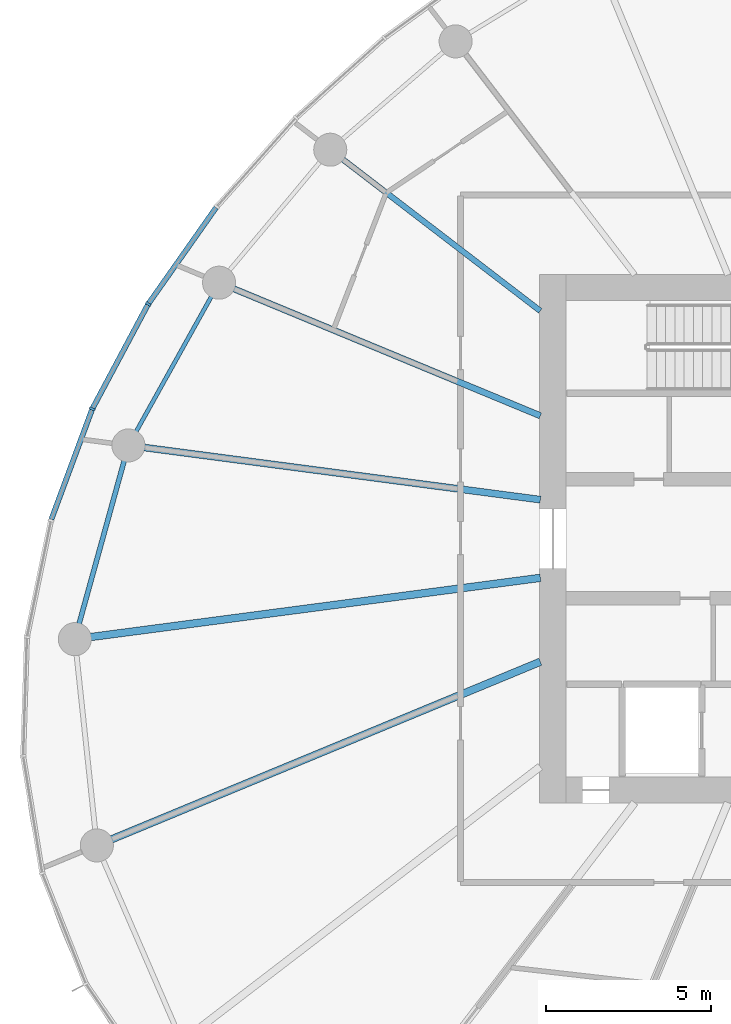
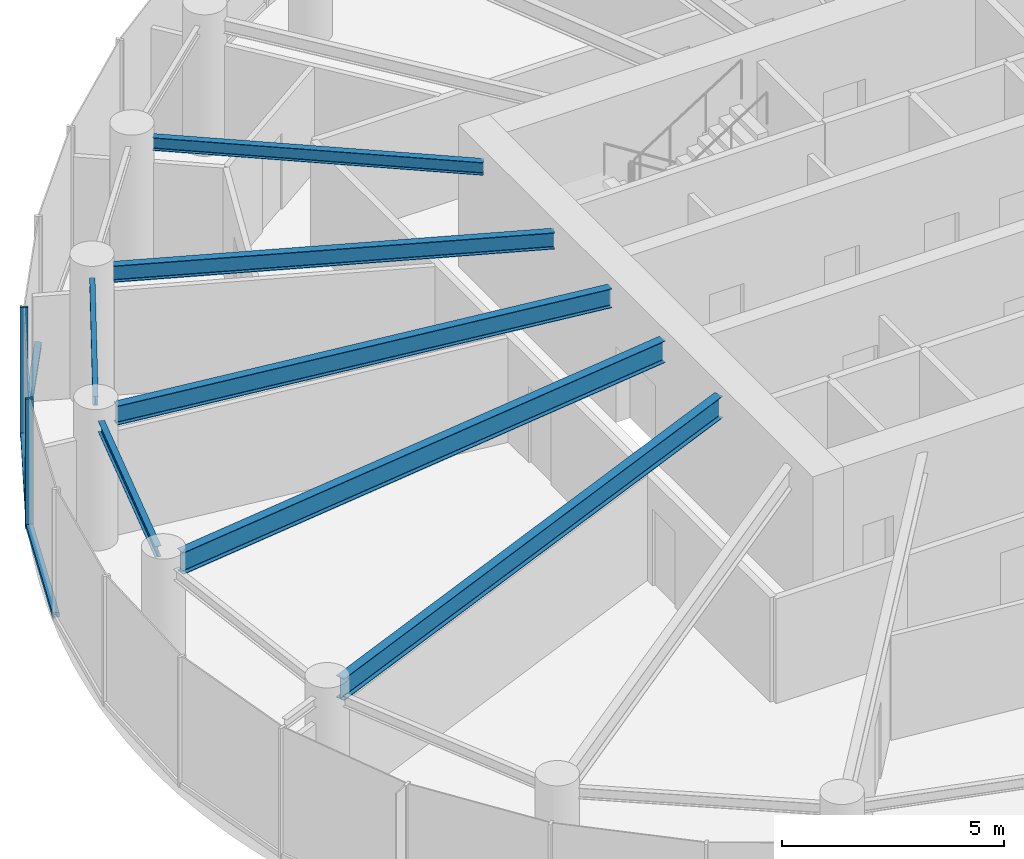
# One storey, part 3 of 14: 7 beams, 5 members, 1 element without a shape of its own.
"""IFC4 building model written with IfcOpenShell, lengths in metres."""

from ifc_helpers import new_model, si_unit, direction, frame, origin, origin_2d, place, context, subcontext, project, spatial, rectangle, i_section, extrude, source, transform, mapped, material, layer, layer_set, material_profile, profile_set, type_object, element, aggregate, save


model = new_model("IFC4")

# Units and contexts
model_context = context("Model", 3, precision=1e-05, world=origin(), true_north=direction((0.0, 1.0)))
body_context = subcontext(model_context, "Body", "Model", "MODEL_VIEW")
ifc_project = project(units=[si_unit("LENGTHUNIT", "METRE"), si_unit("AREAUNIT", "SQUARE_METRE"), si_unit("VOLUMEUNIT", "CUBIC_METRE"), si_unit("PLANEANGLEUNIT", "RADIAN"), si_unit("MASSUNIT", "GRAM", prefix="KILO")], contexts=[model_context])

# Site, building, storey
site_placement = place(None, origin())
site = spatial("IfcSite", under=ifc_project, at=site_placement, CompositionType="ELEMENT")
building_placement = place(site_placement, origin())
building = spatial("IfcBuilding", under=site, at=building_placement, Name="Spindrift Exchange Tower", CompositionType="ELEMENT")
storey_placement = place(building_placement, frame((0.0, 0.0, 148.699951171875)))
storey = spatial("IfcBuildingStorey", under=building, at=storey_placement, Name="L35", CompositionType="ELEMENT", Elevation=148.699951171875)

# Beams
ifc_material_1 = material(Name="Steel Grade 300", Category="steel")
ifc_material_profile_1 = material_profile(ifc_material_1, i_section(OverallWidth=0.1240234375, OverallDepth=0.248046875, WebThickness=0.0048828125, FlangeThickness=0.008056640625, FilletRadius=0.011962890625, at=origin_2d()), Name="250UB25.7")
ifc_profile_set_1 = profile_set([ifc_material_profile_1], Name="Steel Grade 300")
beam_type_1 = type_object("IfcBeamType", Name="Edge Beam 250UB25.7 Steel Grade 300", PredefinedType="SPANDREL", material=ifc_profile_set_1)
shared_shape_1 = source(origin(), body_context, "Body", "SweptSolid", [
    extrude(i_section(OverallWidth=0.1240234375, OverallDepth=0.248046875, WebThickness=0.0048828125, FlangeThickness=0.008056640625, FilletRadius=0.011962890625, at=origin_2d()), origin(), (0.0, 0.0, 1.0), 4.6748046875),
])
beam_1_placement = place(storey_placement, frame((33.067138671875, 55.326171875, 3.4560546875), z_axis=(-0.486587145143, -0.873632045075, 0.0), x_axis=(0.873632045075, -0.486587145143, 0.0)))
element("IfcBeam", 1, at=beam_1_placement, inside=storey, type_object=beam_type_1, Name="L35 edge beam E11", PredefinedType="SPANDREL", context=body_context, shape_type="MappedRepresentation", body=[
    mapped(shared_shape_1, transform((0.0, 0.0, 0.0), scale=1.0)),
])
ifc_material_profile_2 = material_profile(ifc_material_1, i_section(OverallWidth=0.14892578125, OverallDepth=0.298095703125, WebThickness=0.005615234375, FlangeThickness=0.008056640625, FilletRadius=0.012939453125, at=origin_2d()), Name="310UB32.0")
ifc_profile_set_2 = profile_set([ifc_material_profile_2], Name="Steel Grade 300")
beam_type_2 = type_object("IfcBeamType", Name="Edge Beam 310UB32.0 Steel Grade 300", PredefinedType="SPANDREL", material=ifc_profile_set_2)
shared_shape_2 = source(origin(), body_context, "Body", "SweptSolid", [
    extrude(i_section(OverallWidth=0.14892578125, OverallDepth=0.298095703125, WebThickness=0.005615234375, FlangeThickness=0.008056640625, FilletRadius=0.012939453125, at=origin_2d()), origin(), (0.0, 0.0, 1.0), 5.118896484375),
])
beam_2_placement = place(storey_placement, frame((30.430908203125, 50.360107421875, 3.43115234375), z_axis=(-0.266654866605, -0.963792084485, 0.0), x_axis=(0.963792084485, -0.266654866605, 0.0)))
element("IfcBeam", 2, at=beam_2_placement, inside=storey, type_object=beam_type_2, Name="L35 edge beam E12", PredefinedType="SPANDREL", context=body_context, shape_type="MappedRepresentation", body=[
    mapped(shared_shape_2, transform((0.0, 0.0, 0.0), scale=1.0)),
])
ifc_material_profile_3 = material_profile(ifc_material_1, i_section(OverallWidth=0.22802734375, OverallDepth=0.60205078125, WebThickness=0.010498046875, FlangeThickness=0.014892578125, FilletRadius=0.013916015625, at=origin_2d()), Name="610UB101")
ifc_profile_set_3 = profile_set([ifc_material_profile_3], Name="Steel Grade 300")
beam_type_3 = type_object("IfcBeamType", Name="Floor Beam 610UB101 Steel Grade 300", PredefinedType="BEAM", material=ifc_profile_set_3)
shared_shape_3 = source(origin(), body_context, "Body", "SweptSolid", [
    extrude(i_section(OverallWidth=0.22802734375, OverallDepth=0.60205078125, WebThickness=0.010498046875, FlangeThickness=0.014892578125, FilletRadius=0.013916015625, at=origin_2d()), origin(), (0.0, 0.0, 1.0), 13.723388671875),
])
beam_3_placement = place(storey_placement, frame((43.019775390625, 46.817626953125, 3.279052734375), z_axis=(-0.991447148915, -0.13050881544, 0.0), x_axis=(0.13050881544, -0.991447148915, 0.0)))
element("IfcBeam", 3, at=beam_3_placement, inside=storey, type_object=beam_type_3, Name="L35 radial beam R13A", PredefinedType="BEAM", context=body_context, shape_type="MappedRepresentation", body=[
    mapped(shared_shape_3, transform((0.0, 0.0, 0.0), scale=1.0)),
])
shared_shape_4 = source(origin(), body_context, "Body", "SweptSolid", [
    extrude(i_section(OverallWidth=0.22802734375, OverallDepth=0.60205078125, WebThickness=0.010498046875, FlangeThickness=0.014892578125, FilletRadius=0.013916015625, at=origin_2d()), origin(), (0.0, 0.0, 1.0), 14.04052734375),
])
beam_4_placement = place(storey_placement, frame((43.0185546875, 44.27978515625, 3.279052734375), z_axis=(-0.923879501748, -0.382683506634, 0.0), x_axis=(0.382683506634, -0.923879501748, 0.0)))
element("IfcBeam", 4, at=beam_4_placement, inside=storey, type_object=beam_type_3, Name="L35 radial beam R14A", PredefinedType="BEAM", context=body_context, shape_type="MappedRepresentation", body=[
    mapped(shared_shape_4, transform((0.0, 0.0, 0.0), scale=1.0)),
])
ifc_material_profile_4 = material_profile(ifc_material_1, i_section(OverallWidth=0.1708984375, OverallDepth=0.35205078125, WebThickness=0.0068359375, FlangeThickness=0.009765625, FilletRadius=0.013916015625, at=origin_2d()), Name="360UB44.7")
ifc_profile_set_4 = profile_set([ifc_material_profile_4], Name="Steel Grade 300")
beam_type_4 = type_object("IfcBeamType", Name="Floor Beam 360UB44.7 Steel Grade 300", PredefinedType="BEAM", material=ifc_profile_set_4)
shared_shape_5 = source(origin(), body_context, "Body", "SweptSolid", [
    extrude(i_section(OverallWidth=0.1708984375, OverallDepth=0.35205078125, WebThickness=0.0068359375, FlangeThickness=0.009765625, FilletRadius=0.013916015625, at=origin_2d()), origin(), (0.0, 0.0, 1.0), 7.52685546875),
])
beam_5_placement = place(storey_placement, frame((43.015869140625, 54.893798828125, 3.404052734375), z_axis=(-0.793354136078, 0.608760391918, 0.0), x_axis=(-0.608760391918, -0.793354136078, 0.0)))
element("IfcBeam", 5, at=beam_5_placement, inside=storey, type_object=beam_type_4, Name="L35 radial beam R10A", PredefinedType="BEAM", context=body_context, shape_type="MappedRepresentation", body=[
    mapped(shared_shape_5, transform((0.0, 0.0, 0.0), scale=1.0)),
])
ifc_material_profile_5 = material_profile(ifc_material_1, i_section(OverallWidth=0.18994140625, OverallDepth=0.4541015625, WebThickness=0.008544921875, FlangeThickness=0.0126953125, FilletRadius=0.013916015625, at=origin_2d()), Name="460UB67.1")
ifc_profile_set_5 = profile_set([ifc_material_profile_5], Name="Steel Grade 300")
beam_type_5 = type_object("IfcBeamType", Name="Floor Beam 460UB67.1 Steel Grade 300", PredefinedType="BEAM", material=ifc_profile_set_5)
shared_shape_6 = source(origin(), body_context, "Body", "SweptSolid", [
    extrude(i_section(OverallWidth=0.18994140625, OverallDepth=0.4541015625, WebThickness=0.008544921875, FlangeThickness=0.0126953125, FilletRadius=0.013916015625, at=origin_2d()), origin(), (0.0, 0.0, 1.0), 10.03857421875),
])
beam_6_placement = place(storey_placement, frame((43.0185546875, 51.72021484375, 3.35302734375), z_axis=(-0.923880777638, 0.382680426349, 0.0), x_axis=(-0.382680426349, -0.923880777638, 0.0)))
element("IfcBeam", 6, at=beam_6_placement, inside=storey, type_object=beam_type_5, Name="L35 radial beam R11A", PredefinedType="BEAM", context=body_context, shape_type="MappedRepresentation", body=[
    mapped(shared_shape_6, transform((0.0, 0.0, 0.0), scale=1.0)),
])
ifc_material_profile_6 = material_profile(ifc_material_1, i_section(OverallWidth=0.208984375, OverallDepth=0.528076171875, WebThickness=0.009521484375, FlangeThickness=0.01318359375, FilletRadius=0.013916015625, at=origin_2d()), Name="530UB82.0")
ifc_profile_set_6 = profile_set([ifc_material_profile_6], Name="Steel Grade 300")
beam_type_6 = type_object("IfcBeamType", Name="Floor Beam 530UB82.0 Steel Grade 300", PredefinedType="BEAM", material=ifc_profile_set_6)
shared_shape_7 = source(origin(), body_context, "Body", "SweptSolid", [
    extrude(i_section(OverallWidth=0.208984375, OverallDepth=0.528076171875, WebThickness=0.009521484375, FlangeThickness=0.01318359375, FilletRadius=0.013916015625, at=origin_2d()), origin(), (0.0, 0.0, 1.0), 12.088134765625),
])
beam_7_placement = place(storey_placement, frame((43.019775390625, 49.182373046875, 3.316162109375), z_axis=(-0.991447007302, 0.130509891244, 0.0), x_axis=(-0.130509891244, -0.991447007302, 0.0)))
element("IfcBeam", 7, at=beam_7_placement, inside=storey, type_object=beam_type_6, Name="L35 radial beam R12A", PredefinedType="BEAM", context=body_context, shape_type="MappedRepresentation", body=[
    mapped(shared_shape_7, transform((0.0, 0.0, 0.0), scale=1.0)),
])

# Curtain wall, members
ifc_material_2 = material(Name="Fritted laminated glass with bronze frame", Category="glass")
ifc_layer = layer(ifc_material_2, 0.179931640625)
ifc_layer_set = layer_set([ifc_layer], Name="ZONE 3 BRONZE FRITTED WALL")
curtain_wall_type = type_object("IfcCurtainWallType", Name="ZONE 3 BRONZE FRITTED WALL", PredefinedType="NOTDEFINED", material=ifc_layer_set)
curtain_wall_placement = place(storey_placement, origin())
curtain_wall = element("IfcCurtainWall", 8, at=curtain_wall_placement, inside=storey, type_object=curtain_wall_type, Name="L35 Zone 3 Bronze Fritted Wall run 3", PredefinedType="NOTDEFINED")
ifc_material_3 = material(Name="Bronze anodised aluminium", Category="aluminium")
ifc_material_profile_7 = material_profile(ifc_material_3, rectangle(XDim=0.159912109375, YDim=0.1298828125, at=origin_2d()), Name="ZONE 3 BRONZE FRITTED WALL TRANSOM 160X130")
ifc_profile_set_7 = profile_set([ifc_material_profile_7], Name="Bronze anodised aluminium")
member_type_1 = type_object("IfcMemberType", Name="ZONE 3 BRONZE FRITTED WALL TRANSOM 160X130", PredefinedType="USERDEFINED", material=ifc_profile_set_7)
shared_shape_8 = source(origin(), body_context, "Body", "SweptSolid", [
    extrude(rectangle(XDim=0.159912109375, YDim=0.1298828125, at=origin_2d()), origin(), (0.0, 0.0, 1.0), 3.530517578125),
])
member_1_placement = place(storey_placement, frame((33.20947265625, 58.01806640625, 0.06494140625), z_axis=(-0.575460861118, -0.817829320409, 0.0), x_axis=(0.817829320409, -0.575460861118, 0.0)))
member_1 = element("IfcMember", 9, at=member_1_placement, type_object=member_type_1, Name="L35 transom CW-3.14", ObjectType="TRANSOM", PredefinedType="USERDEFINED", context=body_context, shape_type="MappedRepresentation", body=[
    mapped(shared_shape_8, transform((0.0, 0.0, 0.0), scale=1.0)),
])
ifc_material_profile_8 = material_profile(ifc_material_3, rectangle(XDim=0.070068359375, YDim=0.179931640625, at=origin_2d()), Name="ZONE 3 BRONZE FRITTED WALL MULLION 70X180")
ifc_profile_set_8 = profile_set([ifc_material_profile_8], Name="Bronze anodised aluminium")
member_type_2 = type_object("IfcMemberType", Name="ZONE 3 BRONZE FRITTED WALL MULLION 70X180", PredefinedType="MULLION", material=ifc_profile_set_8)
shared_shape_9 = source(origin(), body_context, "Body", "SweptSolid", [
    extrude(rectangle(XDim=0.070068359375, YDim=0.179931640625, at=origin_2d()), origin(), (0.0, 0.0, 1.0), 3.580078125),
])
member_2_placement = place(storey_placement, frame((31.15771484375, 55.10205078125, 0.0), z_axis=(0.0, 0.0, 1.0), x_axis=(-0.524063105856, -0.851679435633, 0.0)))
member_2 = element("IfcMember", 10, at=member_2_placement, type_object=member_type_2, Name="L35 mullion CW-3.15", PredefinedType="MULLION", context=body_context, shape_type="MappedRepresentation", body=[
    mapped(shared_shape_9, transform((0.0, 0.0, 0.0), scale=1.0)),
])
member_3_placement = place(storey_placement, frame((29.463134765625, 51.92578125, 0.0), z_axis=(0.0, 0.0, 1.0), x_axis=(-0.409959150231, -0.912103883964, 0.0)))
member_3 = element("IfcMember", 11, at=member_3_placement, type_object=member_type_2, Name="L35 mullion CW-3.16", PredefinedType="MULLION", context=body_context, shape_type="MappedRepresentation", body=[
    mapped(shared_shape_9, transform((0.0, 0.0, 0.0), scale=1.0)),
])
shared_shape_10 = source(origin(), body_context, "Body", "SweptSolid", [
    extrude(rectangle(XDim=0.159912109375, YDim=0.1298828125, at=origin_2d()), origin(), (0.0, 0.0, 1.0), 3.530029296875),
])
member_4_placement = place(storey_placement, frame((31.14111328125, 55.0712890625, 0.06494140625), z_axis=(-0.470656439937, -0.882316561981, 0.0), x_axis=(0.882316561981, -0.470656439937, 0.0)))
member_4 = element("IfcMember", 12, at=member_4_placement, type_object=member_type_1, Name="L35 transom CW-3.15", ObjectType="TRANSOM", PredefinedType="USERDEFINED", context=body_context, shape_type="MappedRepresentation", body=[
    mapped(shared_shape_10, transform((0.0, 0.0, 0.0), scale=1.0)),
])
shared_shape_11 = source(origin(), body_context, "Body", "SweptSolid", [
    extrude(rectangle(XDim=0.159912109375, YDim=0.1298828125, at=origin_2d()), origin(), (0.0, 0.0, 1.0), 3.529541015625),
])
member_5_placement = place(storey_placement, frame((29.450927734375, 51.89306640625, 0.06494140625), z_axis=(-0.347307597249, -0.937751263872, 0.0), x_axis=(0.937751263872, -0.347307597249, 0.0)))
member_5 = element("IfcMember", 13, at=member_5_placement, type_object=member_type_1, Name="L35 transom CW-3.16", ObjectType="TRANSOM", PredefinedType="USERDEFINED", context=body_context, shape_type="MappedRepresentation", body=[
    mapped(shared_shape_11, transform((0.0, 0.0, 0.0), scale=1.0)),
])
aggregate(curtain_wall, [member_1, member_2, member_4, member_3, member_5])

save(model, "model.ifc")
